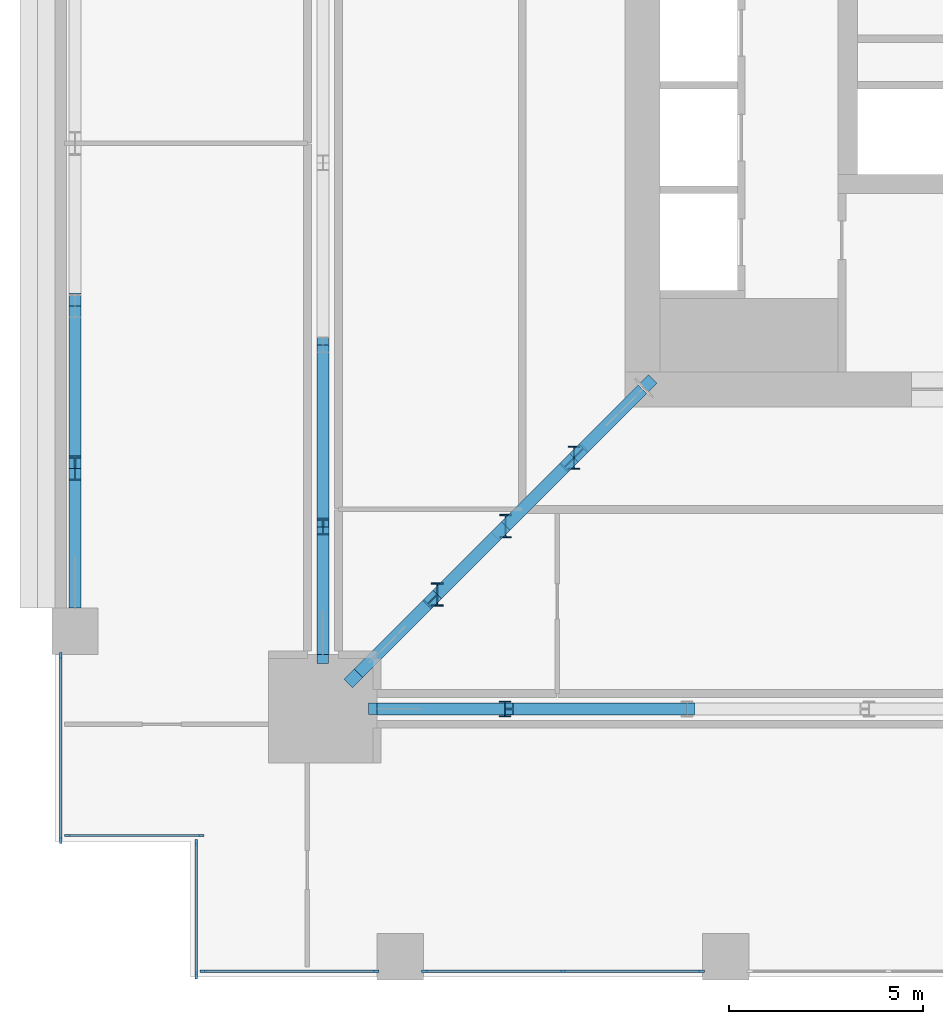
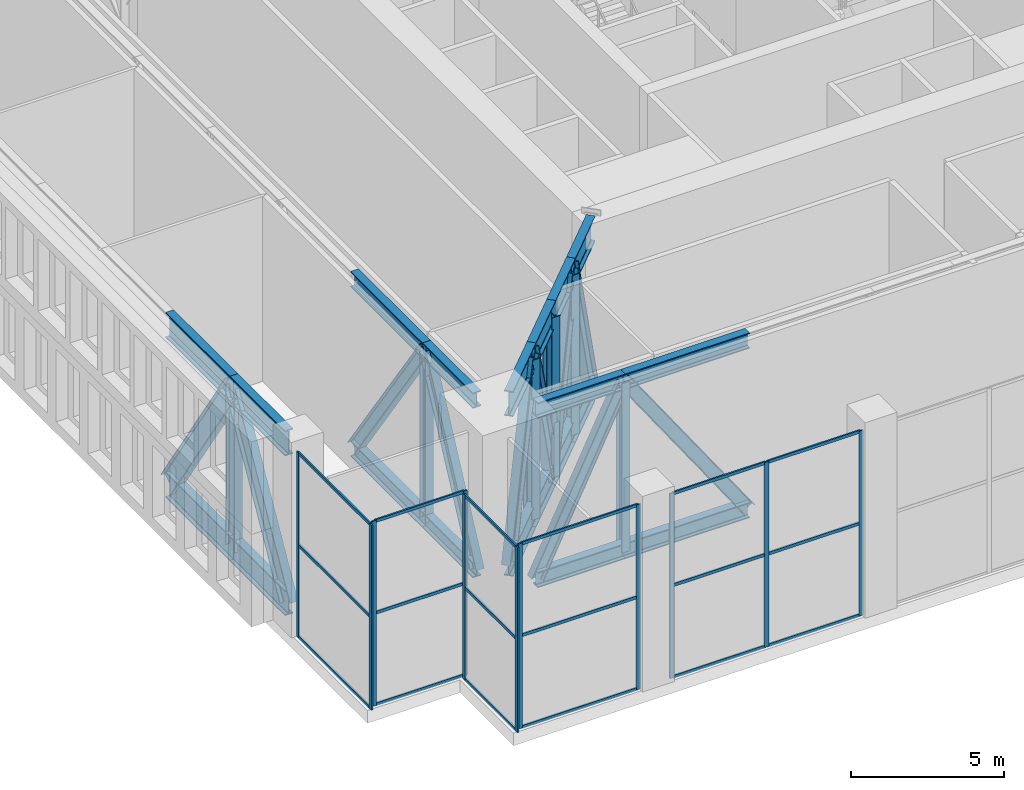
# One storey, part 2 of 21: 65 members, 5 elements without a shape of their own.
"""IFC4 building model written with IfcOpenShell, lengths in metres."""

import ifcopenshell
import ifcopenshell.guid

model = None  # the IFC model being written
_history = None  # IfcOwnerHistory: only IFC2X3 demands one
_inside = {}  # id of a spatial element -> (the spatial element, [elements in it])
_under = {}  # id of a project, library or spatial element -> (it, [spatial elements below it])
_declared = {}  # id of a project -> (the project, [libraries it declares])
_typed = {}  # id of a type object -> (the type object, [elements of that type])
_made_of = {}  # id of a material, layer set ... -> (it, [elements and type objects made of it])


def new_model(schema):
    """Start an empty IFC model of exactly this schema.

    Asked for "IFC4X3", IfcOpenShell would pick the latest addendum, in which some entities
    have other attributes; the version numbers below select the first issue.
    IFC2X3 requires an IfcOwnerHistory on every rooted entity: one is made here for all.
    """
    global model, _history
    if schema == "IFC4X3":
        model = ifcopenshell.file(schema_version=(4, 3, 0, 0))
    else:
        model = ifcopenshell.file(schema=schema)
    _inside.clear()
    _under.clear()
    _declared.clear()
    _typed.clear()
    _made_of.clear()
    _history = None
    if model.schema == "IFC2X3":
        org = make("IfcOrganization", Name="unknown")
        user = make(
            "IfcPersonAndOrganization",
            ThePerson=make("IfcPerson", FamilyName="unknown"),
            TheOrganization=org,
        )
        app = make(
            "IfcApplication",
            ApplicationDeveloper=org,
            Version="unknown",
            ApplicationFullName="unknown",
            ApplicationIdentifier="unknown",
        )
        _history = make(
            "IfcOwnerHistory",
            OwningUser=user,
            OwningApplication=app,
            ChangeAction="ADDED",
            CreationDate=0,
        )
    return model


def make(cls, **values):
    """One entity of the class cls with the attributes given. An attribute that is None is left unset."""
    return model.create_entity(
        cls, **{name: value for name, value in values.items() if value is not None}
    )


def rooted(cls, **values):
    """An entity with a GlobalId (a new one), such as an element, a storey or a relation."""
    return make(cls, GlobalId=ifcopenshell.guid.new(), OwnerHistory=_history, **values)


def si_unit(unit_type, name, prefix=None):
    """IfcSIUnit, for example si_unit("LENGTHUNIT", "METRE", prefix="MILLI")."""
    return make("IfcSIUnit", UnitType=unit_type, Prefix=prefix, Name=name)


def assignment(units):
    """IfcUnitAssignment: the units of a project."""
    return None if units is None else make("IfcUnitAssignment", Units=units)


def point(xyz):
    """IfcCartesianPoint."""
    return None if xyz is None else make("IfcCartesianPoint", Coordinates=xyz)


def direction(xyz):
    """IfcDirection."""
    return None if xyz is None else make("IfcDirection", DirectionRatios=xyz)


def frame(location, z_axis=None, x_axis=None):
    """IfcAxis2Placement3D, a coordinate frame: its origin and axes. An axis left out is left unset."""
    return make(
        "IfcAxis2Placement3D",
        Location=point(location),
        Axis=direction(z_axis),
        RefDirection=direction(x_axis),
    )


def frame_2d(location, x_axis=None):
    """IfcAxis2Placement2D, a coordinate frame in the plane: its origin and x axis."""
    return make(
        "IfcAxis2Placement2D", Location=point(location), RefDirection=direction(x_axis)
    )


def origin():
    """The frame at (0, 0, 0) with its axes left unset."""
    return frame((0.0, 0.0, 0.0))


def origin_2d():
    """The frame at (0, 0) in the plane with its x axis left unset."""
    return frame_2d((0.0, 0.0))


def place(relative_to, where):
    """IfcLocalPlacement: puts the frame where relative to a parent placement (None: the world)."""
    return make(
        "IfcLocalPlacement", PlacementRelTo=relative_to, RelativePlacement=where
    )


def context(
    kind, dimensions, precision=None, world=None, true_north=None, identifier=None
):
    """IfcGeometricRepresentationContext, for example the 3D "Model" context."""
    return make(
        "IfcGeometricRepresentationContext",
        ContextIdentifier=identifier,
        ContextType=kind,
        CoordinateSpaceDimension=dimensions,
        Precision=precision,
        WorldCoordinateSystem=world,
        TrueNorth=true_north,
    )


def subcontext(parent, identifier, kind, view, scale=None):
    """IfcGeometricRepresentationSubContext, for example "Body" below "Model"."""
    return make(
        "IfcGeometricRepresentationSubContext",
        ContextIdentifier=identifier,
        ContextType=kind,
        ParentContext=parent,
        TargetScale=scale,
        TargetView=view,
    )


def project(units=None, contexts=None):
    """IfcProject with its units and contexts."""
    return rooted(
        "IfcProject",
        Name="project",
        RepresentationContexts=contexts,
        UnitsInContext=assignment(units),
    )


def spatial(cls, under=None, at=None, **own):
    """A site, building, storey or space (cls), placed at a placement, below another one or the project."""
    s = rooted(cls, ObjectPlacement=at, **own)
    if under is not None:
        _under.setdefault(under.id(), (under, []))[1].append(s)
    return s


def profile(cls, at=None, kind="AREA", **sizes):
    """A parametric profile (cls). Its sizes go by their IFC names, for example OverallWidth=200.0."""
    return make(cls, ProfileType=kind, Position=at, **sizes)


def rectangle(**sizes):
    """IfcRectangleProfileDef."""
    return profile("IfcRectangleProfileDef", **sizes)


def i_section(**sizes):
    """IfcIShapeProfileDef."""
    return profile("IfcIShapeProfileDef", **sizes)


def extrude(swept, where, along, depth):
    """IfcExtrudedAreaSolid: the profile swept, set in the frame where, extruded along a direction by depth."""
    return make(
        "IfcExtrudedAreaSolid",
        SweptArea=swept,
        Position=where,
        ExtrudedDirection=direction(along),
        Depth=depth,
    )


def shape(context_of_items, identifier, shape_type, items):
    """IfcShapeRepresentation: the items that make up one representation, for example the "Body"."""
    return make(
        "IfcShapeRepresentation",
        ContextOfItems=context_of_items,
        RepresentationIdentifier=identifier,
        RepresentationType=shape_type,
        Items=items,
    )


def material(Name=None, Category=None):
    """IfcMaterial."""
    return make("IfcMaterial", Name=Name, Category=Category)


def material_profile(
    of_material, cross_section, Name=None, Category=None, Priority=None
):
    """IfcMaterialProfile: a cross section and its material."""
    return make(
        "IfcMaterialProfile",
        Name=Name,
        Material=of_material,
        Profile=cross_section,
        Priority=Priority,
        Category=Category,
    )


def profile_set(profiles, Name=None, composite=None):
    """IfcMaterialProfileSet."""
    return make(
        "IfcMaterialProfileSet",
        Name=Name,
        MaterialProfiles=profiles,
        CompositeProfile=composite,
    )


def made_of(thing, what):
    """Note that an element or type object is made of a material, layer set ...; save() writes the relation."""
    if what is not None:
        _made_of.setdefault(what.id(), (what, []))[1].append(thing)
    return thing


def type_object(cls, material=None, **own):
    """A type object (cls), such as IfcWallType, which elements share."""
    return made_of(rooted(cls, **own), material)


def element(
    cls,
    number,
    at=None,
    inside=None,
    cuts=None,
    type_object=None,
    material=None,
    context=None,
    identifier="Body",
    shape_type=None,
    held_by="IfcProductDefinitionShape",
    body=None,
    shapes=None,
    **own,
):
    """One element of the class cls, such as IfcWall. Its Tag is "e" and its number.

    at: its placement. inside: the storey or other place that contains it. cuts: it is an
    opening in that element (IfcRelVoidsElement). A single representation is given by context,
    identifier, shape_type and body (its items); several are given by shapes. held_by: the class
    of the entity that holds the representations. save() writes the other relations.
    """
    e = rooted(cls, Tag="e%d" % number, ObjectPlacement=at, **own)
    if body is not None:
        shapes = [shape(context, identifier, shape_type, body)]
    if shapes is not None:
        e.Representation = make(held_by, Representations=shapes)
    if inside is not None:
        _inside.setdefault(inside.id(), (inside, []))[1].append(e)
    if cuts is not None:
        rooted(
            "IfcRelVoidsElement", RelatingBuildingElement=cuts, RelatedOpeningElement=e
        )
    if type_object is not None:
        _typed.setdefault(type_object.id(), (type_object, []))[1].append(e)
    return made_of(e, material)


def aggregate(whole, parts):
    """IfcRelAggregates: a whole, such as a stair, and the parts it consists of."""
    return rooted("IfcRelAggregates", RelatingObject=whole, RelatedObjects=parts)


def save(model, path):
    """Write the relations noted so far, then the file.

    IfcRelAggregates (storeys below a building ...), IfcRelContainedInSpatialStructure (elements
    in a storey), IfcRelDefinesByType, IfcRelAssociatesMaterial and IfcRelDeclares: one each for
    every whole, place, type object, material and project.
    """
    for whole, parts in _under.values():
        aggregate(whole, parts)
    for where, things in _inside.values():
        rooted(
            "IfcRelContainedInSpatialStructure",
            RelatedElements=things,
            RelatingStructure=where,
        )
    for kind, things in _typed.values():
        rooted("IfcRelDefinesByType", RelatedObjects=things, RelatingType=kind)
    for what, things in _made_of.values():
        rooted("IfcRelAssociatesMaterial", RelatedObjects=things, RelatingMaterial=what)
    for by, libraries in _declared.values():
        rooted("IfcRelDeclares", RelatingContext=by, RelatedDefinitions=libraries)
    model.write(path)


model = new_model("IFC4")

# Units and contexts
model_context = context("Model", 3, precision=1e-05, world=origin(), true_north=direction((0.0, 1.0)))
body_context = subcontext(model_context, "Body", "Model", "MODEL_VIEW")
ifc_project = project(units=[si_unit("LENGTHUNIT", "METRE"), si_unit("AREAUNIT", "SQUARE_METRE"), si_unit("VOLUMEUNIT", "CUBIC_METRE"), si_unit("PLANEANGLEUNIT", "RADIAN"), si_unit("MASSUNIT", "GRAM", prefix="KILO")], contexts=[model_context])

# Site, building, storey
site_placement = place(None, origin())
site = spatial("IfcSite", under=ifc_project, at=site_placement, CompositionType="ELEMENT")
building_placement = place(site_placement, origin())
building = spatial("IfcBuilding", under=site, at=building_placement, Name="Khepri Terraces", CompositionType="ELEMENT")
storey_placement = place(building_placement, frame((0.0, 0.0, 126.0)))
storey = spatial("IfcBuildingStorey", under=building, at=storey_placement, Name="L30", CompositionType="ELEMENT", Elevation=126.0)

# Members
ifc_material_1 = material(Name="Steel S355", Category="steel")
ifc_material_profile_1 = material_profile(ifc_material_1, i_section(OverallWidth=0.304931640625, OverallDepth=0.6201171875, WebThickness=0.02099609375, FlangeThickness=0.0400390625, FilletRadius=0.027099609375, at=origin_2d()), Name="Steel S355", Category="steel")
ifc_profile_set_1 = profile_set([ifc_material_profile_1], Name="Steel S355")
member_type_1 = type_object("IfcMemberType", Name="Belt truss chord HEM 600", PredefinedType="CHORD", material=ifc_profile_set_1)
for number, where, z_axis, x_axis, name in (
    (1, (-17.39990234375, -18.800048828125, 0.31005859375), (1.0, 0.0, 0.0), (0.0, 1.0, 0.0), "Belt truss chord BT-30-S bottom 1"),
    (2, (-17.39990234375, -18.800048828125, 7.070068359375), (1.0, 0.0, 0.0), (0.0, 1.0, 0.0), "Belt truss chord BT-30-S top 1"),
):
    element("IfcMember", number, at=place(storey_placement, frame(where, z_axis=z_axis, x_axis=x_axis)), inside=storey, type_object=member_type_1, Name=name, PredefinedType="CHORD", context=body_context, shape_type="SweptSolid", body=[
        extrude(i_section(OverallWidth=0.304931640625, OverallDepth=0.6201171875, WebThickness=0.02099609375, FlangeThickness=0.0400390625, FilletRadius=0.027099609375, at=origin_2d()), origin(), (0.0, 0.0, 1.0), 3.2998046875),
    ])
for number, where, z_axis, x_axis, name in (
    (3, (-14.10009765625, -18.800048828125, 0.31005859375), (1.0, 0.0, 0.0), (0.0, 1.0, 0.0), "Belt truss chord BT-30-S bottom 2"),
    (4, (-14.10009765625, -18.800048828125, 7.070068359375), (1.0, 0.0, 0.0), (0.0, 1.0, 0.0), "Belt truss chord BT-30-S top 2"),
    (5, (-18.800048828125, -9.39990234375, 0.31005859375), (0.0, -1.0, 0.0), (1.0, 0.0, 0.0), "Belt truss chord BT-30-W bottom 7"),
    (6, (-18.800048828125, -9.39990234375, 7.070068359375), (0.0, -1.0, 0.0), (1.0, 0.0, 0.0), "Belt truss chord BT-30-W top 7"),
):
    element("IfcMember", number, at=place(storey_placement, frame(where, z_axis=z_axis, x_axis=x_axis)), inside=storey, type_object=member_type_1, Name=name, PredefinedType="CHORD", context=body_context, shape_type="SweptSolid", body=[
        extrude(i_section(OverallWidth=0.304931640625, OverallDepth=0.6201171875, WebThickness=0.02099609375, FlangeThickness=0.0400390625, FilletRadius=0.027099609375, at=origin_2d()), origin(), (0.0, 0.0, 1.0), 4.7001953125),
    ])
for number, where, z_axis, x_axis, name in (
    (7, (-18.800048828125, -14.10009765625, 0.31005859375), (0.0, -1.0, 0.0), (1.0, 0.0, 0.0), "Belt truss chord BT-30-W bottom 8"),
    (8, (-18.800048828125, -14.10009765625, 7.070068359375), (0.0, -1.0, 0.0), (1.0, 0.0, 0.0), "Belt truss chord BT-30-W top 8"),
):
    element("IfcMember", number, at=place(storey_placement, frame(where, z_axis=z_axis, x_axis=x_axis)), inside=storey, type_object=member_type_1, Name=name, PredefinedType="CHORD", context=body_context, shape_type="SweptSolid", body=[
        extrude(i_section(OverallWidth=0.304931640625, OverallDepth=0.6201171875, WebThickness=0.02099609375, FlangeThickness=0.0400390625, FilletRadius=0.027099609375, at=origin_2d()), origin(), (0.0, 0.0, 1.0), 3.2998046875),
    ])
ifc_material_profile_2 = material_profile(ifc_material_1, i_section(OverallWidth=0.300048828125, OverallDepth=0.5, WebThickness=0.014404296875, FlangeThickness=0.028076171875, FilletRadius=0.027099609375, at=origin_2d()), Name="Steel S355", Category="steel")
ifc_profile_set_2 = profile_set([ifc_material_profile_2], Name="Steel S355")
member_type_2 = type_object("IfcMemberType", Name="Belt truss diagonal HEB 500", PredefinedType="BRACE", material=ifc_profile_set_2)
member_1_placement = place(storey_placement, frame((-17.39990234375, -18.800048828125, 0.31005859375), z_axis=(0.438664043467, 0.0, 0.898651131958), x_axis=(0.0, 1.0, 0.0)))
element("IfcMember", 9, at=member_1_placement, inside=storey, type_object=member_type_2, Name="Belt truss diagonal BT-30-S 1", PredefinedType="BRACE", context=body_context, shape_type="SweptSolid", body=[
    extrude(i_section(OverallWidth=0.300048828125, OverallDepth=0.5, WebThickness=0.014404296875, FlangeThickness=0.028076171875, FilletRadius=0.027099609375, at=origin_2d()), origin(), (0.0, 0.0, 1.0), 7.5224609375),
])
for number, where, z_axis, x_axis, name in (
    (10, (-14.10009765625, -18.800048828125, 7.070068359375), (0.570866386548, 0.0, -0.821042976165), (0.0, 1.0, 0.0), "Belt truss diagonal BT-30-S 2"),
    (11, (-18.800048828125, -9.39990234375, 0.31005859375), (0.0, -0.570866386548, 0.821042976165), (1.0, 0.0, 0.0), "Belt truss diagonal BT-30-W 7"),
):
    element("IfcMember", number, at=place(storey_placement, frame(where, z_axis=z_axis, x_axis=x_axis)), inside=storey, type_object=member_type_2, Name=name, PredefinedType="BRACE", context=body_context, shape_type="SweptSolid", body=[
        extrude(i_section(OverallWidth=0.300048828125, OverallDepth=0.5, WebThickness=0.014404296875, FlangeThickness=0.028076171875, FilletRadius=0.027099609375, at=origin_2d()), origin(), (0.0, 0.0, 1.0), 8.2333984375),
    ])
member_2_placement = place(storey_placement, frame((-18.800048828125, -14.10009765625, 7.070068359375), z_axis=(0.0, -0.438664043467, -0.898651131958), x_axis=(1.0, 0.0, 0.0)))
element("IfcMember", 12, at=member_2_placement, inside=storey, type_object=member_type_2, Name="Belt truss diagonal BT-30-W 8", PredefinedType="BRACE", context=body_context, shape_type="SweptSolid", body=[
    extrude(i_section(OverallWidth=0.300048828125, OverallDepth=0.5, WebThickness=0.014404296875, FlangeThickness=0.028076171875, FilletRadius=0.027099609375, at=origin_2d()), origin(), (0.0, 0.0, 1.0), 7.5224609375),
])
ifc_material_profile_3 = material_profile(ifc_material_1, i_section(OverallWidth=0.300048828125, OverallDepth=0.39990234375, WebThickness=0.013427734375, FlangeThickness=0.02392578125, FilletRadius=0.027099609375, at=origin_2d()), Name="Steel S355", Category="steel")
ifc_profile_set_3 = profile_set([ifc_material_profile_3], Name="Steel S355")
member_type_3 = type_object("IfcMemberType", Name="Belt truss post HEB 400", PredefinedType="POST", material=ifc_profile_set_3)
for number, where, z_axis, x_axis, name in (
    (13, (-14.10009765625, -18.800048828125, 0.31005859375), (0.0, 0.0, 1.0), (1.0, 0.0, 0.0), "Belt truss post BT-30-S 1"),
    (14, (-18.800048828125, -14.10009765625, 0.31005859375), (0.0, 0.0, 1.0), (1.0, 0.0, 0.0), "Belt truss post BT-30-W 7"),
):
    element("IfcMember", number, at=place(storey_placement, frame(where, z_axis=z_axis, x_axis=x_axis)), inside=storey, type_object=member_type_3, Name=name, PredefinedType="POST", context=body_context, shape_type="SweptSolid", body=[
        extrude(i_section(OverallWidth=0.300048828125, OverallDepth=0.39990234375, WebThickness=0.013427734375, FlangeThickness=0.02392578125, FilletRadius=0.027099609375, at=origin_2d()), origin(), (0.0, 0.0, 1.0), 6.760009765625),
    ])

# Curtain wall, members
ifc_material_2 = material(Name="Anodised aluminium bronze curtain wall", Category="aluminium")
curtain_wall_type = type_object("IfcCurtainWallType", Name="CW-SYS3-SKY", PredefinedType="NOTDEFINED", material=ifc_material_2)
curtain_wall_1_placement = place(storey_placement, origin())
curtain_wall_1 = element("IfcCurtainWall", 15, at=curtain_wall_1_placement, inside=storey, type_object=curtain_wall_type, Name="Curtain wall CW3 L30 W", PredefinedType="NOTDEFINED")
ifc_material_3 = material(Name="Anodised aluminium bronze", Category="aluminium")
ifc_material_profile_4 = material_profile(ifc_material_3, rectangle(XDim=0.06005859375, YDim=0.159912109375, at=origin_2d()), Name="Anodised aluminium bronze", Category="aluminium")
ifc_profile_set_4 = profile_set([ifc_material_profile_4], Name="Anodised aluminium bronze")
member_type_4 = type_object("IfcMemberType", Name="CW-MULLION-60x160", PredefinedType="MULLION", material=ifc_profile_set_4)
member_3_placement = place(storey_placement, frame((-25.570068359375, -17.429931640625, 0.0), z_axis=(0.0, 0.0, 1.0), x_axis=(1.0, 0.0, 0.0)))
member_3 = element("IfcMember", 16, at=member_3_placement, type_object=member_type_4, Name="CW3 mullion 1", PredefinedType="MULLION", context=body_context, shape_type="SweptSolid", body=[
    extrude(rectangle(XDim=0.06005859375, YDim=0.159912109375, at=origin_2d()), origin(), (0.0, 0.0, 1.0), 7.3798828125),
])
member_4_placement = place(storey_placement, frame((-25.570068359375, -22.18994140625, 0.0), z_axis=(0.0, 0.0, 1.0), x_axis=(1.0, 0.0, 0.0)))
member_4 = element("IfcMember", 17, at=member_4_placement, type_object=member_type_4, Name="CW3 mullion 2", PredefinedType="MULLION", context=body_context, shape_type="SweptSolid", body=[
    extrude(rectangle(XDim=0.06005859375, YDim=0.159912109375, at=origin_2d()), origin(), (0.0, 0.0, 1.0), 7.3798828125),
])

curtain_wall_2_placement = place(storey_placement, origin())
curtain_wall_2 = element("IfcCurtainWall", 18, at=curtain_wall_2_placement, inside=storey, type_object=curtain_wall_type, Name="Curtain wall CW3 L30 S", PredefinedType="NOTDEFINED")
member_5_placement = place(storey_placement, frame((-25.389892578125, -22.070068359375, 0.0), z_axis=(0.0, 0.0, 1.0), x_axis=(0.0, 1.0, 0.0)))
member_5 = element("IfcMember", 19, at=member_5_placement, type_object=member_type_4, Name="CW3 mullion 1", PredefinedType="MULLION", context=body_context, shape_type="SweptSolid", body=[
    extrude(rectangle(XDim=0.06005859375, YDim=0.159912109375, at=origin_2d()), origin(), (0.0, 0.0, 1.0), 7.3798828125),
])
member_6_placement = place(storey_placement, frame((-21.949951171875, -22.070068359375, 0.0), z_axis=(0.0, 0.0, 1.0), x_axis=(0.0, 1.0, 0.0)))
member_6 = element("IfcMember", 20, at=member_6_placement, type_object=member_type_4, Name="CW3 mullion 2", PredefinedType="MULLION", context=body_context, shape_type="SweptSolid", body=[
    extrude(rectangle(XDim=0.06005859375, YDim=0.159912109375, at=origin_2d()), origin(), (0.0, 0.0, 1.0), 7.3798828125),
])

curtain_wall_3_placement = place(storey_placement, origin())
curtain_wall_3 = element("IfcCurtainWall", 21, at=curtain_wall_3_placement, inside=storey, type_object=curtain_wall_type, Name="Curtain wall CW3 L30 W", PredefinedType="NOTDEFINED")
member_7_placement = place(storey_placement, frame((-22.070068359375, -22.25, 0.0), z_axis=(0.0, 0.0, 1.0), x_axis=(1.0, 0.0, 0.0)))
member_7 = element("IfcMember", 22, at=member_7_placement, type_object=member_type_4, Name="CW3 mullion 1", PredefinedType="MULLION", context=body_context, shape_type="SweptSolid", body=[
    extrude(rectangle(XDim=0.06005859375, YDim=0.159912109375, at=origin_2d()), origin(), (0.0, 0.0, 1.0), 7.3798828125),
])
member_8_placement = place(storey_placement, frame((-22.070068359375, -25.68994140625, 0.0), z_axis=(0.0, 0.0, 1.0), x_axis=(1.0, 0.0, 0.0)))
member_8 = element("IfcMember", 23, at=member_8_placement, type_object=member_type_4, Name="CW3 mullion 2", PredefinedType="MULLION", context=body_context, shape_type="SweptSolid", body=[
    extrude(rectangle(XDim=0.06005859375, YDim=0.159912109375, at=origin_2d()), origin(), (0.0, 0.0, 1.0), 7.3798828125),
])

curtain_wall_4_placement = place(storey_placement, origin())
curtain_wall_4 = element("IfcCurtainWall", 24, at=curtain_wall_4_placement, inside=storey, type_object=curtain_wall_type, Name="Curtain wall CW3 L30 S", PredefinedType="NOTDEFINED")
member_9_placement = place(storey_placement, frame((-21.889892578125, -25.570068359375, 0.0), z_axis=(0.0, 0.0, 1.0), x_axis=(0.0, 1.0, 0.0)))
member_9 = element("IfcMember", 25, at=member_9_placement, type_object=member_type_4, Name="CW3 mullion 1", PredefinedType="MULLION", context=body_context, shape_type="SweptSolid", body=[
    extrude(rectangle(XDim=0.06005859375, YDim=0.159912109375, at=origin_2d()), origin(), (0.0, 0.0, 1.0), 7.3798828125),
])
member_10_placement = place(storey_placement, frame((-17.429931640625, -25.570068359375, 0.0), z_axis=(0.0, 0.0, 1.0), x_axis=(0.0, 1.0, 0.0)))
member_10 = element("IfcMember", 26, at=member_10_placement, type_object=member_type_4, Name="CW3 mullion 2", PredefinedType="MULLION", context=body_context, shape_type="SweptSolid", body=[
    extrude(rectangle(XDim=0.06005859375, YDim=0.159912109375, at=origin_2d()), origin(), (0.0, 0.0, 1.0), 7.3798828125),
])

curtain_wall_5_placement = place(storey_placement, origin())
curtain_wall_5 = element("IfcCurtainWall", 27, at=curtain_wall_5_placement, inside=storey, type_object=curtain_wall_type, Name="Curtain wall CW3 L30 S", PredefinedType="NOTDEFINED")
member_11_placement = place(storey_placement, frame((-16.169921875, -25.570068359375, 0.0), z_axis=(0.0, 0.0, 1.0), x_axis=(0.0, 1.0, 0.0)))
member_11 = element("IfcMember", 28, at=member_11_placement, type_object=member_type_4, Name="CW3 mullion 1", PredefinedType="MULLION", context=body_context, shape_type="SweptSolid", body=[
    extrude(rectangle(XDim=0.06005859375, YDim=0.159912109375, at=origin_2d()), origin(), (0.0, 0.0, 1.0), 7.3798828125),
])
member_12_placement = place(storey_placement, frame((-12.60009765625, -25.570068359375, 0.0), z_axis=(0.0, 0.0, 1.0), x_axis=(0.0, 1.0, 0.0)))
member_12 = element("IfcMember", 29, at=member_12_placement, type_object=member_type_4, Name="CW3 mullion 2", PredefinedType="MULLION", context=body_context, shape_type="SweptSolid", body=[
    extrude(rectangle(XDim=0.06005859375, YDim=0.159912109375, at=origin_2d()), origin(), (0.0, 0.0, 1.0), 7.3798828125),
])
member_13_placement = place(storey_placement, frame((-9.030029296875, -25.570068359375, 0.0), z_axis=(0.0, 0.0, 1.0), x_axis=(0.0, 1.0, 0.0)))
member_13 = element("IfcMember", 30, at=member_13_placement, type_object=member_type_4, Name="CW3 mullion 3", PredefinedType="MULLION", context=body_context, shape_type="SweptSolid", body=[
    extrude(rectangle(XDim=0.06005859375, YDim=0.159912109375, at=origin_2d()), origin(), (0.0, 0.0, 1.0), 7.3798828125),
])

# Member
ifc_material_profile_5 = material_profile(ifc_material_3, rectangle(XDim=0.06005859375, YDim=0.1201171875, at=origin_2d()), Name="Anodised aluminium bronze", Category="aluminium")
ifc_profile_set_5 = profile_set([ifc_material_profile_5], Name="Anodised aluminium bronze")
member_type_5 = type_object("IfcMemberType", Name="CW-TRANSOM-60x120", PredefinedType="USERDEFINED", material=ifc_profile_set_5)
member_14_placement = place(storey_placement, frame((-25.570068359375, -17.4599609375, 0.030029296875), z_axis=(0.0, -1.0, 0.0), x_axis=(1.0, 0.0, 0.0)))
member_14 = element("IfcMember", 31, at=member_14_placement, type_object=member_type_5, Name="CW3 transom 1.1", ObjectType="TRANSOM", PredefinedType="USERDEFINED", context=body_context, shape_type="SweptSolid", body=[
    extrude(rectangle(XDim=0.06005859375, YDim=0.1201171875, at=origin_2d()), origin(), (0.0, 0.0, 1.0), 4.699951171875),
])

member_15_placement = place(storey_placement, frame((-25.570068359375, -17.4599609375, 3.68994140625), z_axis=(0.0, -1.0, 0.0), x_axis=(1.0, 0.0, 0.0)))
member_15 = element("IfcMember", 32, at=member_15_placement, type_object=member_type_5, Name="CW3 transom 1.2", ObjectType="TRANSOM", PredefinedType="USERDEFINED", context=body_context, shape_type="SweptSolid", body=[
    extrude(rectangle(XDim=0.06005859375, YDim=0.1201171875, at=origin_2d()), origin(), (0.0, 0.0, 1.0), 4.699951171875),
])

member_16_placement = place(storey_placement, frame((-25.570068359375, -17.4599609375, 7.35009765625), z_axis=(0.0, -1.0, 0.0), x_axis=(1.0, 0.0, 0.0)))
member_16 = element("IfcMember", 33, at=member_16_placement, type_object=member_type_5, Name="CW3 transom 1.3", ObjectType="TRANSOM", PredefinedType="USERDEFINED", context=body_context, shape_type="SweptSolid", body=[
    extrude(rectangle(XDim=0.06005859375, YDim=0.1201171875, at=origin_2d()), origin(), (0.0, 0.0, 1.0), 4.699951171875),
])

aggregate(curtain_wall_1, [member_3, member_4, member_14, member_15, member_16])

member_17_placement = place(storey_placement, frame((-25.360107421875, -22.070068359375, 0.030029296875), z_axis=(1.0, 0.0, 0.0), x_axis=(0.0, 1.0, 0.0)))
member_17 = element("IfcMember", 34, at=member_17_placement, type_object=member_type_5, Name="CW3 transom 1.1", ObjectType="TRANSOM", PredefinedType="USERDEFINED", context=body_context, shape_type="SweptSolid", body=[
    extrude(rectangle(XDim=0.06005859375, YDim=0.1201171875, at=origin_2d()), origin(), (0.0, 0.0, 1.0), 3.380126953125),
])

member_18_placement = place(storey_placement, frame((-25.360107421875, -22.070068359375, 3.68994140625), z_axis=(1.0, 0.0, 0.0), x_axis=(0.0, 1.0, 0.0)))
member_18 = element("IfcMember", 35, at=member_18_placement, type_object=member_type_5, Name="CW3 transom 1.2", ObjectType="TRANSOM", PredefinedType="USERDEFINED", context=body_context, shape_type="SweptSolid", body=[
    extrude(rectangle(XDim=0.06005859375, YDim=0.1201171875, at=origin_2d()), origin(), (0.0, 0.0, 1.0), 3.380126953125),
])

member_19_placement = place(storey_placement, frame((-25.360107421875, -22.070068359375, 7.35009765625), z_axis=(1.0, 0.0, 0.0), x_axis=(0.0, 1.0, 0.0)))
member_19 = element("IfcMember", 36, at=member_19_placement, type_object=member_type_5, Name="CW3 transom 1.3", ObjectType="TRANSOM", PredefinedType="USERDEFINED", context=body_context, shape_type="SweptSolid", body=[
    extrude(rectangle(XDim=0.06005859375, YDim=0.1201171875, at=origin_2d()), origin(), (0.0, 0.0, 1.0), 3.380126953125),
])

aggregate(curtain_wall_2, [member_5, member_6, member_17, member_18, member_19])

member_20_placement = place(storey_placement, frame((-22.070068359375, -22.280029296875, 0.030029296875), z_axis=(0.0, -1.0, 0.0), x_axis=(1.0, 0.0, 0.0)))
member_20 = element("IfcMember", 37, at=member_20_placement, type_object=member_type_5, Name="CW3 transom 1.1", ObjectType="TRANSOM", PredefinedType="USERDEFINED", context=body_context, shape_type="SweptSolid", body=[
    extrude(rectangle(XDim=0.06005859375, YDim=0.1201171875, at=origin_2d()), origin(), (0.0, 0.0, 1.0), 3.3798828125),
])

member_21_placement = place(storey_placement, frame((-22.070068359375, -22.280029296875, 3.68994140625), z_axis=(0.0, -1.0, 0.0), x_axis=(1.0, 0.0, 0.0)))
member_21 = element("IfcMember", 38, at=member_21_placement, type_object=member_type_5, Name="CW3 transom 1.2", ObjectType="TRANSOM", PredefinedType="USERDEFINED", context=body_context, shape_type="SweptSolid", body=[
    extrude(rectangle(XDim=0.06005859375, YDim=0.1201171875, at=origin_2d()), origin(), (0.0, 0.0, 1.0), 3.3798828125),
])

member_22_placement = place(storey_placement, frame((-22.070068359375, -22.280029296875, 7.35009765625), z_axis=(0.0, -1.0, 0.0), x_axis=(1.0, 0.0, 0.0)))
member_22 = element("IfcMember", 39, at=member_22_placement, type_object=member_type_5, Name="CW3 transom 1.3", ObjectType="TRANSOM", PredefinedType="USERDEFINED", context=body_context, shape_type="SweptSolid", body=[
    extrude(rectangle(XDim=0.06005859375, YDim=0.1201171875, at=origin_2d()), origin(), (0.0, 0.0, 1.0), 3.3798828125),
])

aggregate(curtain_wall_3, [member_7, member_8, member_20, member_21, member_22])

member_23_placement = place(storey_placement, frame((-21.860107421875, -25.570068359375, 0.030029296875), z_axis=(1.0, 0.0, 0.0), x_axis=(0.0, 1.0, 0.0)))
member_23 = element("IfcMember", 40, at=member_23_placement, type_object=member_type_5, Name="CW3 transom 1.1", ObjectType="TRANSOM", PredefinedType="USERDEFINED", context=body_context, shape_type="SweptSolid", body=[
    extrude(rectangle(XDim=0.06005859375, YDim=0.1201171875, at=origin_2d()), origin(), (0.0, 0.0, 1.0), 4.400146484375),
])

member_24_placement = place(storey_placement, frame((-21.860107421875, -25.570068359375, 3.68994140625), z_axis=(1.0, 0.0, 0.0), x_axis=(0.0, 1.0, 0.0)))
member_24 = element("IfcMember", 41, at=member_24_placement, type_object=member_type_5, Name="CW3 transom 1.2", ObjectType="TRANSOM", PredefinedType="USERDEFINED", context=body_context, shape_type="SweptSolid", body=[
    extrude(rectangle(XDim=0.06005859375, YDim=0.1201171875, at=origin_2d()), origin(), (0.0, 0.0, 1.0), 4.400146484375),
])

member_25_placement = place(storey_placement, frame((-21.860107421875, -25.570068359375, 7.35009765625), z_axis=(1.0, 0.0, 0.0), x_axis=(0.0, 1.0, 0.0)))
member_25 = element("IfcMember", 42, at=member_25_placement, type_object=member_type_5, Name="CW3 transom 1.3", ObjectType="TRANSOM", PredefinedType="USERDEFINED", context=body_context, shape_type="SweptSolid", body=[
    extrude(rectangle(XDim=0.06005859375, YDim=0.1201171875, at=origin_2d()), origin(), (0.0, 0.0, 1.0), 4.400146484375),
])

aggregate(curtain_wall_4, [member_9, member_10, member_23, member_24, member_25])

member_26_placement = place(storey_placement, frame((-16.139892578125, -25.570068359375, 0.030029296875), z_axis=(1.0, 0.0, 0.0), x_axis=(0.0, 1.0, 0.0)))
member_26 = element("IfcMember", 43, at=member_26_placement, type_object=member_type_5, Name="CW3 transom 1.1", ObjectType="TRANSOM", PredefinedType="USERDEFINED", context=body_context, shape_type="SweptSolid", body=[
    extrude(rectangle(XDim=0.06005859375, YDim=0.1201171875, at=origin_2d()), origin(), (0.0, 0.0, 1.0), 3.510009765625),
])

member_27_placement = place(storey_placement, frame((-16.139892578125, -25.570068359375, 3.68994140625), z_axis=(1.0, 0.0, 0.0), x_axis=(0.0, 1.0, 0.0)))
member_27 = element("IfcMember", 44, at=member_27_placement, type_object=member_type_5, Name="CW3 transom 1.2", ObjectType="TRANSOM", PredefinedType="USERDEFINED", context=body_context, shape_type="SweptSolid", body=[
    extrude(rectangle(XDim=0.06005859375, YDim=0.1201171875, at=origin_2d()), origin(), (0.0, 0.0, 1.0), 3.510009765625),
])

member_28_placement = place(storey_placement, frame((-16.139892578125, -25.570068359375, 7.35009765625), z_axis=(1.0, 0.0, 0.0), x_axis=(0.0, 1.0, 0.0)))
member_28 = element("IfcMember", 45, at=member_28_placement, type_object=member_type_5, Name="CW3 transom 1.3", ObjectType="TRANSOM", PredefinedType="USERDEFINED", context=body_context, shape_type="SweptSolid", body=[
    extrude(rectangle(XDim=0.06005859375, YDim=0.1201171875, at=origin_2d()), origin(), (0.0, 0.0, 1.0), 3.510009765625),
])

member_29_placement = place(storey_placement, frame((-12.570068359375, -25.570068359375, 0.030029296875), z_axis=(1.0, 0.0, 0.0), x_axis=(0.0, 1.0, 0.0)))
member_29 = element("IfcMember", 46, at=member_29_placement, type_object=member_type_5, Name="CW3 transom 2.1", ObjectType="TRANSOM", PredefinedType="USERDEFINED", context=body_context, shape_type="SweptSolid", body=[
    extrude(rectangle(XDim=0.06005859375, YDim=0.1201171875, at=origin_2d()), origin(), (0.0, 0.0, 1.0), 3.510009765625),
])

member_30_placement = place(storey_placement, frame((-12.570068359375, -25.570068359375, 3.68994140625), z_axis=(1.0, 0.0, 0.0), x_axis=(0.0, 1.0, 0.0)))
member_30 = element("IfcMember", 47, at=member_30_placement, type_object=member_type_5, Name="CW3 transom 2.2", ObjectType="TRANSOM", PredefinedType="USERDEFINED", context=body_context, shape_type="SweptSolid", body=[
    extrude(rectangle(XDim=0.06005859375, YDim=0.1201171875, at=origin_2d()), origin(), (0.0, 0.0, 1.0), 3.510009765625),
])

member_31_placement = place(storey_placement, frame((-12.570068359375, -25.570068359375, 7.35009765625), z_axis=(1.0, 0.0, 0.0), x_axis=(0.0, 1.0, 0.0)))
member_31 = element("IfcMember", 48, at=member_31_placement, type_object=member_type_5, Name="CW3 transom 2.3", ObjectType="TRANSOM", PredefinedType="USERDEFINED", context=body_context, shape_type="SweptSolid", body=[
    extrude(rectangle(XDim=0.06005859375, YDim=0.1201171875, at=origin_2d()), origin(), (0.0, 0.0, 1.0), 3.510009765625),
])

aggregate(curtain_wall_5, [member_11, member_12, member_13, member_26, member_27, member_28, member_29, member_30, member_31])

# Members
ifc_material_profile_6 = material_profile(ifc_material_1, i_section(OverallWidth=0.302001953125, OverallDepth=1.008056640625, WebThickness=0.02099609375, FlangeThickness=0.0400390625, FilletRadius=0.030029296875, at=origin_2d()), Name="Steel S355", Category="steel")
ifc_profile_set_6 = profile_set([ifc_material_profile_6], Name="Steel S355")
member_type_6 = type_object("IfcMemberType", Name="Outrigger chord HEM 1000", PredefinedType="CHORD", material=ifc_profile_set_6)
for number, where, z_axis, x_axis, name in (
    (49, (-10.550048828125, -10.550048828125, 0.50390625), (-0.707106781187, -0.707106781187, 0.0), (0.707106781187, -0.707106781187, 0.0), "Outrigger chord OT-30-WS bottom 1"),
    (50, (-10.550048828125, -10.550048828125, 6.8759765625), (-0.707106781187, -0.707106781187, 0.0), (0.707106781187, -0.707106781187, 0.0), "Outrigger chord OT-30-WS top 1"),
):
    element("IfcMember", number, at=place(storey_placement, frame(where, z_axis=z_axis, x_axis=x_axis)), inside=storey, type_object=member_type_6, Name=name, PredefinedType="CHORD", context=body_context, shape_type="SweptSolid", body=[
        extrude(i_section(OverallWidth=0.302001953125, OverallDepth=1.008056640625, WebThickness=0.02099609375, FlangeThickness=0.0400390625, FilletRadius=0.030029296875, at=origin_2d()), origin(), (0.0, 0.0, 1.0), 2.49658203125),
    ])
for number, where, z_axis, x_axis, name in (
    (51, (-12.3154296875, -12.3154296875, 0.50390625), (-0.707106781187, -0.707106781187, 0.0), (0.707106781187, -0.707106781187, 0.0), "Outrigger chord OT-30-WS bottom 2"),
    (52, (-12.3154296875, -12.3154296875, 6.8759765625), (-0.707106781187, -0.707106781187, 0.0), (0.707106781187, -0.707106781187, 0.0), "Outrigger chord OT-30-WS top 2"),
    (53, (-14.0810546875, -14.0810546875, 0.50390625), (-0.707106781187, -0.707106781187, 0.0), (0.707106781187, -0.707106781187, 0.0), "Outrigger chord OT-30-WS bottom 3"),
    (54, (-14.0810546875, -14.0810546875, 6.8759765625), (-0.707106781187, -0.707106781187, 0.0), (0.707106781187, -0.707106781187, 0.0), "Outrigger chord OT-30-WS top 3"),
):
    element("IfcMember", number, at=place(storey_placement, frame(where, z_axis=z_axis, x_axis=x_axis)), inside=storey, type_object=member_type_6, Name=name, PredefinedType="CHORD", context=body_context, shape_type="SweptSolid", body=[
        extrude(i_section(OverallWidth=0.302001953125, OverallDepth=1.008056640625, WebThickness=0.02099609375, FlangeThickness=0.0400390625, FilletRadius=0.030029296875, at=origin_2d()), origin(), (0.0, 0.0, 1.0), 2.4970703125),
    ])
for number, where, z_axis, x_axis, name in (
    (55, (-15.8466796875, -15.8466796875, 0.50390625), (-0.707106781187, -0.707106781187, 0.0), (0.707106781187, -0.707106781187, 0.0), "Outrigger chord OT-30-WS bottom 4"),
    (56, (-15.8466796875, -15.8466796875, 6.8759765625), (-0.707106781187, -0.707106781187, 0.0), (0.707106781187, -0.707106781187, 0.0), "Outrigger chord OT-30-WS top 4"),
):
    element("IfcMember", number, at=place(storey_placement, frame(where, z_axis=z_axis, x_axis=x_axis)), inside=storey, type_object=member_type_6, Name=name, PredefinedType="CHORD", context=body_context, shape_type="SweptSolid", body=[
        extrude(i_section(OverallWidth=0.302001953125, OverallDepth=1.008056640625, WebThickness=0.02099609375, FlangeThickness=0.0400390625, FilletRadius=0.030029296875, at=origin_2d()), origin(), (0.0, 0.0, 1.0), 2.876708984375),
    ])
ifc_material_profile_7 = material_profile(ifc_material_1, i_section(OverallWidth=0.302978515625, OverallDepth=0.81396484375, WebThickness=0.02099609375, FlangeThickness=0.0400390625, FilletRadius=0.030029296875, at=origin_2d()), Name="Steel S355", Category="steel")
ifc_profile_set_7 = profile_set([ifc_material_profile_7], Name="Steel S355")
member_type_7 = type_object("IfcMemberType", Name="Outrigger diagonal HEM 800", PredefinedType="BRACE", material=ifc_profile_set_7)
for number, where, z_axis, x_axis, name in (
    (57, (-10.550048828125, -10.550048828125, 0.50390625), (-0.257956556739, -0.257956556739, 0.931083685643), (0.707106781187, -0.707106781187, 0.0), "Outrigger diagonal OT-30-WS 1"),
    (58, (-12.3154296875, -12.3154296875, 6.8759765625), (-0.25798748202, -0.25798748202, -0.931066548772), (0.707106781187, -0.707106781187, 0.0), "Outrigger diagonal OT-30-WS 2"),
    (59, (-14.0810546875, -14.0810546875, 0.50390625), (-0.25798748202, -0.25798748202, 0.931066548772), (0.707106781187, -0.707106781187, 0.0), "Outrigger diagonal OT-30-WS 3"),
):
    element("IfcMember", number, at=place(storey_placement, frame(where, z_axis=z_axis, x_axis=x_axis)), inside=storey, type_object=member_type_7, Name=name, PredefinedType="BRACE", context=body_context, shape_type="SweptSolid", body=[
        extrude(i_section(OverallWidth=0.302978515625, OverallDepth=0.81396484375, WebThickness=0.02099609375, FlangeThickness=0.0400390625, FilletRadius=0.030029296875, at=origin_2d()), origin(), (0.0, 0.0, 1.0), 6.84375),
    ])
member_32_placement = place(storey_placement, frame((-15.8466796875, -15.8466796875, 6.8759765625), z_axis=(-0.290956401625, -0.290956401625, -0.911421277295), x_axis=(0.707106781187, -0.707106781187, 0.0)))
element("IfcMember", 60, at=member_32_placement, inside=storey, type_object=member_type_7, Name="Outrigger diagonal OT-30-WS 4", PredefinedType="BRACE", context=body_context, shape_type="SweptSolid", body=[
    extrude(i_section(OverallWidth=0.302978515625, OverallDepth=0.81396484375, WebThickness=0.02099609375, FlangeThickness=0.0400390625, FilletRadius=0.030029296875, at=origin_2d()), origin(), (0.0, 0.0, 1.0), 6.991455078125),
])
ifc_material_profile_8 = material_profile(ifc_material_1, i_section(OverallWidth=0.300048828125, OverallDepth=0.60009765625, WebThickness=0.015380859375, FlangeThickness=0.030029296875, FilletRadius=0.027099609375, at=origin_2d()), Name="Steel S355", Category="steel")
ifc_profile_set_8 = profile_set([ifc_material_profile_8], Name="Steel S355")
member_type_8 = type_object("IfcMemberType", Name="Outrigger post HEB 600", PredefinedType="POST", material=ifc_profile_set_8)
for number, where, z_axis, x_axis, name in (
    (61, (-12.3154296875, -12.3154296875, 0.50390625), (0.0, 0.0, 1.0), (1.0, 0.0, 0.0), "Outrigger post OT-30-WS 1"),
    (62, (-14.0810546875, -14.0810546875, 0.50390625), (0.0, 0.0, 1.0), (1.0, 0.0, 0.0), "Outrigger post OT-30-WS 2"),
    (63, (-15.8466796875, -15.8466796875, 0.50390625), (0.0, 0.0, 1.0), (1.0, 0.0, 0.0), "Outrigger post OT-30-WS 3"),
):
    element("IfcMember", number, at=place(storey_placement, frame(where, z_axis=z_axis, x_axis=x_axis)), inside=storey, type_object=member_type_8, Name=name, PredefinedType="POST", context=body_context, shape_type="SweptSolid", body=[
        extrude(i_section(OverallWidth=0.300048828125, OverallDepth=0.60009765625, WebThickness=0.015380859375, FlangeThickness=0.030029296875, FilletRadius=0.027099609375, at=origin_2d()), origin(), (0.0, 0.0, 1.0), 6.3720703125),
    ])
ifc_material_profile_9 = material_profile(ifc_material_1, i_section(OverallWidth=0.302001953125, OverallDepth=1.008056640625, WebThickness=0.02099609375, FlangeThickness=0.0400390625, FilletRadius=0.030029296875, at=origin_2d()), Name="Steel S355", Category="steel")
ifc_profile_set_9 = profile_set([ifc_material_profile_9], Name="Steel S355")
member_type_9 = type_object("IfcMemberType", Name="Transfer truss chord HEM 1000", PredefinedType="CHORD", material=ifc_profile_set_9)
for number, where, z_axis, x_axis, name in (
    (64, (-25.199951171875, -8.39990234375, 0.50390625), (0.0, -1.0, 0.0), (1.0, 0.0, 0.0), "Transfer truss chord TT-30-W bottom 7"),
    (65, (-25.199951171875, -8.39990234375, 6.8759765625), (0.0, -1.0, 0.0), (1.0, 0.0, 0.0), "Transfer truss chord TT-30-W top 7"),
):
    element("IfcMember", number, at=place(storey_placement, frame(where, z_axis=z_axis, x_axis=x_axis)), inside=storey, type_object=member_type_9, Name=name, PredefinedType="CHORD", context=body_context, shape_type="SweptSolid", body=[
        extrude(i_section(OverallWidth=0.302001953125, OverallDepth=1.008056640625, WebThickness=0.02099609375, FlangeThickness=0.0400390625, FilletRadius=0.030029296875, at=origin_2d()), origin(), (0.0, 0.0, 1.0), 4.2001953125),
    ])
for number, where, z_axis, x_axis, name in (
    (66, (-25.199951171875, -12.60009765625, 0.50390625), (0.0, -1.0, 0.0), (1.0, 0.0, 0.0), "Transfer truss chord TT-30-W bottom 8"),
    (67, (-25.199951171875, -12.60009765625, 6.8759765625), (0.0, -1.0, 0.0), (1.0, 0.0, 0.0), "Transfer truss chord TT-30-W top 8"),
):
    element("IfcMember", number, at=place(storey_placement, frame(where, z_axis=z_axis, x_axis=x_axis)), inside=storey, type_object=member_type_9, Name=name, PredefinedType="CHORD", context=body_context, shape_type="SweptSolid", body=[
        extrude(i_section(OverallWidth=0.302001953125, OverallDepth=1.008056640625, WebThickness=0.02099609375, FlangeThickness=0.0400390625, FilletRadius=0.030029296875, at=origin_2d()), origin(), (0.0, 0.0, 1.0), 3.599853515625),
    ])
ifc_material_profile_10 = material_profile(ifc_material_1, i_section(OverallWidth=0.300048828125, OverallDepth=0.800048828125, WebThickness=0.017578125, FlangeThickness=0.032958984375, FilletRadius=0.030029296875, at=origin_2d()), Name="Steel S355", Category="steel")
ifc_profile_set_10 = profile_set([ifc_material_profile_10], Name="Steel S355")
member_type_10 = type_object("IfcMemberType", Name="Transfer truss diagonal HEB 800", PredefinedType="BRACE", material=ifc_profile_set_10)
member_33_placement = place(storey_placement, frame((-25.199951171875, -8.39990234375, 0.50390625), z_axis=(0.0, -0.55035188289, 0.834932814662), x_axis=(1.0, 0.0, 0.0)))
element("IfcMember", 68, at=member_33_placement, inside=storey, type_object=member_type_10, Name="Transfer truss diagonal TT-30-W 7", PredefinedType="BRACE", context=body_context, shape_type="SweptSolid", body=[
    extrude(i_section(OverallWidth=0.300048828125, OverallDepth=0.800048828125, WebThickness=0.017578125, FlangeThickness=0.032958984375, FilletRadius=0.030029296875, at=origin_2d()), origin(), (0.0, 0.0, 1.0), 7.6318359375),
])
member_34_placement = place(storey_placement, frame((-25.199951171875, -12.60009765625, 6.8759765625), z_axis=(0.0, -0.4918758753, -0.870665333695), x_axis=(1.0, 0.0, 0.0)))
element("IfcMember", 69, at=member_34_placement, inside=storey, type_object=member_type_10, Name="Transfer truss diagonal TT-30-W 8", PredefinedType="BRACE", context=body_context, shape_type="SweptSolid", body=[
    extrude(i_section(OverallWidth=0.300048828125, OverallDepth=0.800048828125, WebThickness=0.017578125, FlangeThickness=0.032958984375, FilletRadius=0.030029296875, at=origin_2d()), origin(), (0.0, 0.0, 1.0), 7.318603515625),
])
ifc_material_profile_11 = material_profile(ifc_material_1, i_section(OverallWidth=0.300048828125, OverallDepth=0.60009765625, WebThickness=0.015380859375, FlangeThickness=0.030029296875, FilletRadius=0.027099609375, at=origin_2d()), Name="Steel S355", Category="steel")
ifc_profile_set_11 = profile_set([ifc_material_profile_11], Name="Steel S355")
member_type_11 = type_object("IfcMemberType", Name="Transfer truss post HEB 600", PredefinedType="POST", material=ifc_profile_set_11)
member_35_placement = place(storey_placement, frame((-25.199951171875, -12.60009765625, 0.50390625), z_axis=(0.0, 0.0, 1.0), x_axis=(1.0, 0.0, 0.0)))
element("IfcMember", 70, at=member_35_placement, inside=storey, type_object=member_type_11, Name="Transfer truss post TT-30-W 7", PredefinedType="POST", context=body_context, shape_type="SweptSolid", body=[
    extrude(i_section(OverallWidth=0.300048828125, OverallDepth=0.60009765625, WebThickness=0.015380859375, FlangeThickness=0.030029296875, FilletRadius=0.027099609375, at=origin_2d()), origin(), (0.0, 0.0, 1.0), 6.3720703125),
])

save(model, "model.ifc")
